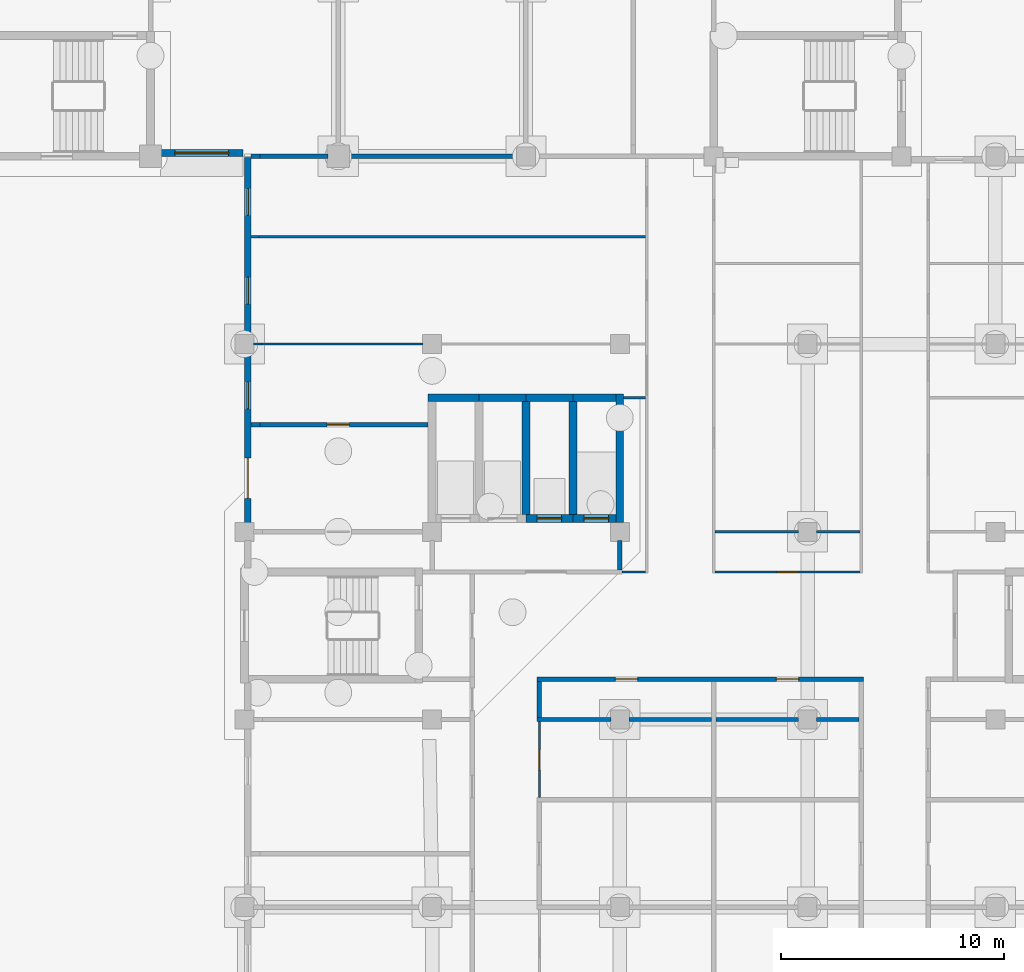
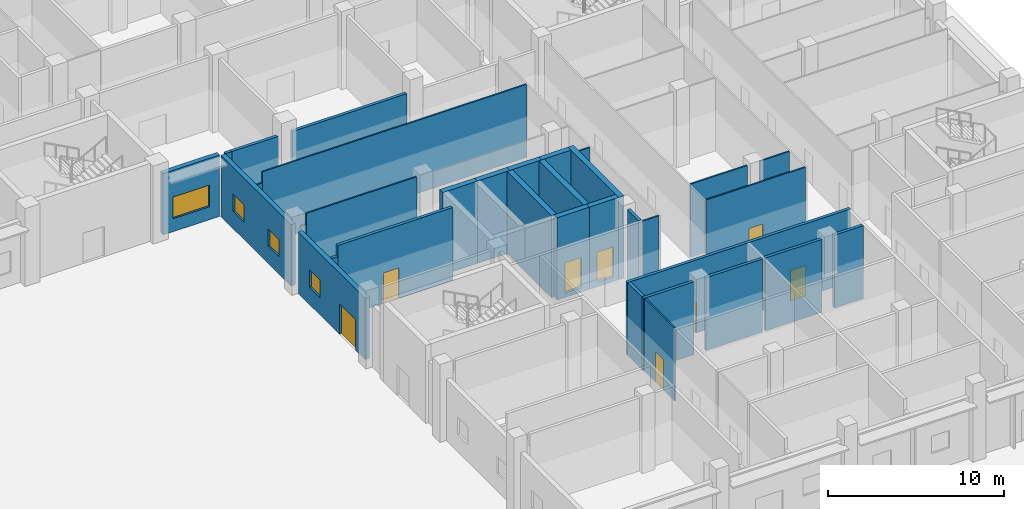
# One storey, part 83 of 146: 34 walls, 8 doors, 4 windows, 12 openings.
"""IFC4 building model written with IfcOpenShell, lengths in metres."""

from ifc_helpers import new_model, si_unit, direction, frame, frame_2d, origin, place, context, subcontext, project, spatial, rectangle, extrude, material, layer, layer_set, type_object, element, fill, save


model = new_model("IFC4")

# Units and contexts
model_context = context("Model", 3, precision=1e-05, world=origin(), true_north=direction((0.0, 1.0)))
body_context = subcontext(model_context, "Body", "Model", "MODEL_VIEW")
ifc_project = project(units=[si_unit("LENGTHUNIT", "METRE"), si_unit("AREAUNIT", "SQUARE_METRE"), si_unit("VOLUMEUNIT", "CUBIC_METRE"), si_unit("PLANEANGLEUNIT", "RADIAN"), si_unit("MASSUNIT", "GRAM", prefix="KILO")], contexts=[model_context])

# Site, building, storey
site_placement = place(None, origin())
site = spatial("IfcSite", under=ifc_project, at=site_placement, CompositionType="ELEMENT")
building_placement = place(site_placement, origin())
building = spatial("IfcBuilding", under=site, at=building_placement, Name="Bougainvillea Quay General Hospital", CompositionType="ELEMENT")
storey_placement = place(building_placement, origin())
storey = spatial("IfcBuildingStorey", under=building, at=storey_placement, Name="L00", CompositionType="ELEMENT", Elevation=0.0)

# Wall, openings, windows
ifc_material_1 = material(Name="Pale stone rainscreen cladding on insulated masonry backing, pale stone", Category="masonry")
ifc_layer_1 = layer(ifc_material_1, 0.300048828125)
ifc_layer_set_1 = layer_set([ifc_layer_1], Name="Pale stone rainscreen cladding on insulated masonry backing, pale stone")
wall_type_1 = type_object("IfcWallType", Name="External wall pale stone rainscreen 300", PredefinedType="STANDARD", material=ifc_layer_set_1)
wall_1_placement = place(storey_placement, frame((163.949951171875, 117.5400390625, 0.0), z_axis=(0.0, 0.0, 1.0), x_axis=(0.0, -1.0, 0.0)))
wall_1 = element("IfcWall", 1, at=wall_1_placement, inside=storey, type_object=wall_type_1, Name="External wall wall/V3/L00/p0/00a", PredefinedType="STANDARD", context=body_context, shape_type="SweptSolid", body=[
    extrude(rectangle(XDim=7.93994140625, YDim=0.300048828125, at=frame_2d((3.969970703125, 0.0))), origin(), (0.0, 0.0, 1.0), 4.25),
])
opening_1_placement = place(wall_1_placement, frame((1.385009765625, 0.0, 1.199951171875)))
opening_1 = element("IfcOpeningElement", 2, at=opening_1_placement, cuts=wall_1, Name="Opening W2", PredefinedType="OPENING", context=body_context, shape_type="SweptSolid", body=[
    extrude(rectangle(XDim=1.199951171875, YDim=1.199951171875, at=frame_2d((0.60009765625, 0.60009765625))), frame((0.0, 0.159912109375, 0.0), z_axis=(0.0, -1.0, 0.0), x_axis=(1.0, 0.0, 0.0)), (0.0, 0.0, 1.0), 0.320068359375),
])
opening_2_placement = place(wall_1_placement, frame((5.35498046875, 0.0, 1.199951171875)))
opening_2 = element("IfcOpeningElement", 3, at=opening_2_placement, cuts=wall_1, Name="Opening W2", PredefinedType="OPENING", context=body_context, shape_type="SweptSolid", body=[
    extrude(rectangle(XDim=1.199951171875, YDim=1.199951171875, at=frame_2d((0.60009765625, 0.60009765625))), frame((0.0, 0.159912109375, 0.0), z_axis=(0.0, -1.0, 0.0), x_axis=(1.0, 0.0, 0.0)), (0.0, 0.0, 1.0), 0.320068359375),
])
ifc_material_2 = material(Name="Aluminium window frame with low-e double glazed unit", Category="aluminium")
window_type_1 = type_object("IfcWindowType", Name="Window W2 1200x1200", PartitioningType="SINGLE_PANEL", PredefinedType="WINDOW", material=ifc_material_2)
window_1_placement = place(opening_1_placement, origin())
window_1 = element("IfcWindow", 4, at=window_1_placement, inside=storey, type_object=window_type_1, Name="Window W2 1", OverallHeight=1.199951171875, OverallWidth=1.199951171875, PartitioningType="SINGLE_PANEL", PredefinedType="WINDOW", context=body_context, shape_type="SweptSolid", body=[
    extrude(rectangle(XDim=1.199951171875, YDim=1.199951171875, at=frame_2d((0.60009765625, 0.60009765625))), frame((0.0, 0.030029296875, 0.0), z_axis=(0.0, -1.0, 0.0), x_axis=(1.0, 0.0, 0.0)), (0.0, 0.0, 1.0), 0.06005859375),
])
fill(opening_1, window_1)
window_2_placement = place(opening_2_placement, origin())
window_2 = element("IfcWindow", 5, at=window_2_placement, inside=storey, type_object=window_type_1, Name="Window W2 2", OverallHeight=1.199951171875, OverallWidth=1.199951171875, PartitioningType="SINGLE_PANEL", PredefinedType="WINDOW", context=body_context, shape_type="SweptSolid", body=[
    extrude(rectangle(XDim=1.199951171875, YDim=1.199951171875, at=frame_2d((0.60009765625, 0.60009765625))), frame((0.0, 0.030029296875, 0.0), z_axis=(0.0, -1.0, 0.0), x_axis=(1.0, 0.0, 0.0)), (0.0, 0.0, 1.0), 0.06005859375),
])
fill(opening_2, window_2)

# Wall, openings, door, window
wall_2_placement = place(storey_placement, frame((163.949951171875, 108.800048828125, 0.0), z_axis=(0.0, 0.0, 1.0), x_axis=(0.0, -1.0, 0.0)))
wall_2 = element("IfcWall", 6, at=wall_2_placement, inside=storey, type_object=wall_type_1, Name="External wall wall/V3/L00/p0/00b", PredefinedType="STANDARD", context=body_context, shape_type="SweptSolid", body=[
    extrude(rectangle(XDim=7.60009765625, YDim=0.300048828125, at=frame_2d((3.800048828125, 0.0))), origin(), (0.0, 0.0, 1.0), 4.25),
])
opening_3_placement = place(wall_2_placement, frame((4.700927734375, 0.0, 0.0)))
opening_3 = element("IfcOpeningElement", 7, at=opening_3_placement, cuts=wall_2, Name="Opening L00.353", PredefinedType="OPENING", context=body_context, shape_type="SweptSolid", body=[
    extrude(rectangle(XDim=1.800048828125, YDim=2.10009765625, at=frame_2d((0.89990234375, 1.050048828125))), frame((0.0, 0.159912109375, 0.0), z_axis=(0.0, -1.0, 0.0), x_axis=(1.0, 0.0, 0.0)), (0.0, 0.0, 1.0), 0.320068359375),
])
opening_4_placement = place(wall_2_placement, frame((1.300048828125, 0.0, 1.199951171875)))
opening_4 = element("IfcOpeningElement", 8, at=opening_4_placement, cuts=wall_2, Name="Opening W2", PredefinedType="OPENING", context=body_context, shape_type="SweptSolid", body=[
    extrude(rectangle(XDim=1.199951171875, YDim=1.199951171875, at=frame_2d((0.60009765625, 0.60009765625))), frame((0.0, 0.159912109375, 0.0), z_axis=(0.0, -1.0, 0.0), x_axis=(1.0, 0.0, 0.0)), (0.0, 0.0, 1.0), 0.320068359375),
])
ifc_material_3 = material(Name="Steel door set, painted", Category="steel")
door_type_1 = type_object("IfcDoorType", Name="Service door 1800x2100", OperationType="DOUBLE_DOOR_SINGLE_SWING", PredefinedType="DOOR", material=ifc_material_3)
door_1_placement = place(opening_3_placement, frame((1.800048828125, 0.0, 0.0), z_axis=(0.0, 0.0, 1.0), x_axis=(-1.0, 0.0, 0.0)))
door_1 = element("IfcDoor", 9, at=door_1_placement, inside=storey, type_object=door_type_1, Name="Theatre waste door", OperationType="SINGLE_SWING_LEFT", OverallHeight=2.10009765625, OverallWidth=1.800048828125, PredefinedType="DOOR", context=body_context, shape_type="SweptSolid", body=[
    extrude(rectangle(XDim=1.800048828125, YDim=2.10009765625, at=frame_2d((0.89990234375, 1.050048828125))), frame((0.0, 0.02490234375, 0.0), z_axis=(0.0, -1.0, 0.0), x_axis=(1.0, 0.0, 0.0)), (0.0, 0.0, 1.0), 0.050048828125),
])
fill(opening_3, door_1)
window_3_placement = place(opening_4_placement, origin())
window_3 = element("IfcWindow", 10, at=window_3_placement, inside=storey, type_object=window_type_1, Name="Window W2 1", OverallHeight=1.199951171875, OverallWidth=1.199951171875, PartitioningType="SINGLE_PANEL", PredefinedType="WINDOW", context=body_context, shape_type="SweptSolid", body=[
    extrude(rectangle(XDim=1.199951171875, YDim=1.199951171875, at=frame_2d((0.60009765625, 0.60009765625))), frame((0.0, 0.030029296875, 0.0), z_axis=(0.0, -1.0, 0.0), x_axis=(1.0, 0.0, 0.0)), (0.0, 0.0, 1.0), 0.06005859375),
])
fill(opening_4, window_3)

# Wall, opening, window
wall_3_placement = place(storey_placement, frame((160.050048828125, 117.75, 0.0), z_axis=(0.0, 0.0, 1.0), x_axis=(1.0, 0.0, 0.0)))
wall_3 = element("IfcWall", 11, at=wall_3_placement, inside=storey, type_object=wall_type_1, Name="External wall wall/V4/L00/p1/00g", PredefinedType="STANDARD", context=body_context, shape_type="SweptSolid", body=[
    extrude(rectangle(XDim=3.68994140625, YDim=0.300048828125, at=frame_2d((1.844970703125, 0.0))), origin(), (0.0, 0.0, 1.0), 4.25),
])
opening_5_placement = place(wall_3_placement, frame((0.64501953125, 0.0, 0.89990234375)))
opening_5 = element("IfcOpeningElement", 12, at=opening_5_placement, cuts=wall_3, Name="Opening W3", PredefinedType="OPENING", context=body_context, shape_type="SweptSolid", body=[
    extrude(rectangle(XDim=2.39990234375, YDim=1.5, at=frame_2d((1.199951171875, 0.75))), frame((0.0, 0.159912109375, 0.0), z_axis=(0.0, -1.0, 0.0), x_axis=(1.0, 0.0, 0.0)), (0.0, 0.0, 1.0), 0.320068359375),
])
window_type_2 = type_object("IfcWindowType", Name="Window W3 2400x1500", PartitioningType="TRIPLE_PANEL_VERTICAL", PredefinedType="WINDOW", material=ifc_material_2)
window_4_placement = place(opening_5_placement, origin())
window_4 = element("IfcWindow", 13, at=window_4_placement, inside=storey, type_object=window_type_2, Name="Window W3 1", OverallHeight=1.5, OverallWidth=2.39990234375, PartitioningType="SINGLE_PANEL", PredefinedType="WINDOW", context=body_context, shape_type="SweptSolid", body=[
    extrude(rectangle(XDim=2.39990234375, YDim=1.5, at=frame_2d((1.199951171875, 0.75))), frame((0.0, 0.030029296875, 0.0), z_axis=(0.0, -1.0, 0.0), x_axis=(1.0, 0.0, 0.0)), (0.0, 0.0, 1.0), 0.06005859375),
])
fill(opening_5, window_4)

# Walls
ifc_material_4 = material(Name="Gypsum board partition on steel studs", Category="steel")
ifc_layer_2 = layer(ifc_material_4, 0.10009765625)
ifc_layer_set_2 = layer_set([ifc_layer_2], Name="Gypsum board partition on steel studs")
wall_type_2 = type_object("IfcWallType", Name="Partition 100 Gypsum board partition", PredefinedType="PARTITIONING", material=ifc_layer_set_2)
wall_4_placement = place(storey_placement, frame((164.199951171875, 109.197998046875, 0.0), z_axis=(0.0, 0.0, 1.0), x_axis=(1.0, 0.0, 0.0)))
element("IfcWall", 14, at=wall_4_placement, inside=storey, type_object=wall_type_2, Name="Partition 100 mm", PredefinedType="PARTITIONING", context=body_context, shape_type="SweptSolid", body=[
    extrude(rectangle(XDim=0.35009765625, YDim=0.10009765625, at=frame_2d((0.175048828125, 0.0))), origin(), (0.0, 0.0, 1.0), 4.280029296875),
])
wall_5_placement = place(storey_placement, frame((164.550048828125, 109.197998046875, 0.0), z_axis=(0.0, 0.0, 1.0), x_axis=(1.0, 0.0, 0.0)))
element("IfcWall", 15, at=wall_5_placement, inside=storey, type_object=wall_type_2, Name="Partition 100 mm", PredefinedType="PARTITIONING", context=body_context, shape_type="SweptSolid", body=[
    extrude(rectangle(XDim=7.25, YDim=0.10009765625, at=frame_2d((3.625, 0.0))), origin(), (0.0, 0.0, 1.0), 5.050048828125),
])
wall_6_placement = place(storey_placement, frame((164.10009765625, 113.998046875, 0.0), z_axis=(0.0, 0.0, 1.0), x_axis=(1.0, 0.0, 0.0)))
element("IfcWall", 16, at=wall_6_placement, inside=storey, type_object=wall_type_2, Name="Partition 100 mm", PredefinedType="PARTITIONING", context=body_context, shape_type="SweptSolid", body=[
    extrude(rectangle(XDim=0.349853515625, YDim=0.10009765625, at=frame_2d((0.1748046875, 0.0))), origin(), (0.0, 0.0, 1.0), 4.280029296875),
])
wall_7_placement = place(storey_placement, frame((164.449951171875, 113.998046875, 0.0), z_axis=(0.0, 0.0, 1.0), x_axis=(1.0, 0.0, 0.0)))
element("IfcWall", 17, at=wall_7_placement, inside=storey, type_object=wall_type_2, Name="Partition 100 mm", PredefinedType="PARTITIONING", context=body_context, shape_type="SweptSolid", body=[
    extrude(rectangle(XDim=17.300048828125, YDim=0.10009765625, at=frame_2d((8.64990234375, 0.0))), origin(), (0.0, 0.0, 1.0), 5.050048828125),
])
wall_8_placement = place(storey_placement, frame((180.77490234375, 106.800048828125, 0.0), z_axis=(0.0, 0.0, 1.0), x_axis=(1.0, 0.0, 0.0)))
element("IfcWall", 18, at=wall_8_placement, inside=storey, type_object=wall_type_2, Name="Partition 100 mm", PredefinedType="PARTITIONING", context=body_context, shape_type="SweptSolid", body=[
    extrude(rectangle(XDim=0.97509765625, YDim=0.10009765625, at=frame_2d((0.487548828125, 0.0))), origin(), (0.0, 0.0, 1.0), 5.050048828125),
])

# Wall, opening, door
wall_9_placement = place(storey_placement, frame((184.85009765625, 99.0, 0.0), z_axis=(0.0, 0.0, 1.0), x_axis=(1.0, 0.0, 0.0)))
wall_9 = element("IfcWall", 19, at=wall_9_placement, inside=storey, type_object=wall_type_2, Name="Partition 100 mm", PredefinedType="PARTITIONING", context=body_context, shape_type="SweptSolid", body=[
    extrude(rectangle(XDim=6.5, YDim=0.10009765625, at=frame_2d((3.25, 0.0))), origin(), (0.0, 0.0, 1.0), 5.050048828125),
])
opening_6_placement = place(wall_9_placement, frame((2.800048828125, 0.0, 0.0)))
opening_6 = element("IfcOpeningElement", 20, at=opening_6_placement, cuts=wall_9, Name="Opening L00.118", PredefinedType="OPENING", context=body_context, shape_type="SweptSolid", body=[
    extrude(rectangle(XDim=0.89990234375, YDim=2.10009765625, at=frame_2d((0.449951171875, 1.050048828125))), frame((0.0, 0.06005859375, 0.0), z_axis=(0.0, -1.0, 0.0), x_axis=(1.0, 0.0, 0.0)), (0.0, 0.0, 1.0), 0.1201171875),
])
ifc_material_5 = material(Name="Solid-core timber door leaf in steel frame", Category="steel")
door_type_2 = type_object("IfcDoorType", Name="Single leaf door 900x2100", OperationType="NOTDEFINED", PredefinedType="DOOR", material=ifc_material_5)
door_2_placement = place(opening_6_placement, origin())
door_2 = element("IfcDoor", 21, at=door_2_placement, inside=storey, type_object=door_type_2, Name="DT07 L00.118", OperationType="SINGLE_SWING_LEFT", OverallHeight=2.10009765625, OverallWidth=0.89990234375, PredefinedType="DOOR", context=body_context, shape_type="SweptSolid", body=[
    extrude(rectangle(XDim=0.89990234375, YDim=2.10009765625, at=frame_2d((0.449951171875, 1.050048828125))), frame((0.0, 0.02490234375, 0.0), z_axis=(0.0, -1.0, 0.0), x_axis=(1.0, 0.0, 0.0)), (0.0, 0.0, 1.0), 0.050048828125),
])
fill(opening_6, door_2)

# Walls
wall_10_placement = place(storey_placement, frame((184.85009765625, 100.800048828125, 0.0), z_axis=(0.0, 0.0, 1.0), x_axis=(1.0, 0.0, 0.0)))
element("IfcWall", 22, at=wall_10_placement, inside=storey, type_object=wall_type_2, Name="Partition 100 mm", PredefinedType="PARTITIONING", context=body_context, shape_type="SweptSolid", body=[
    extrude(rectangle(XDim=3.75, YDim=0.10009765625, at=frame_2d((1.875, 0.0))), origin(), (0.0, 0.0, 1.0), 5.050048828125),
])
wall_11_placement = place(storey_placement, frame((189.39990234375, 100.800048828125, 0.0), z_axis=(0.0, 0.0, 1.0), x_axis=(1.0, 0.0, 0.0)))
element("IfcWall", 23, at=wall_11_placement, inside=storey, type_object=wall_type_2, Name="Partition 100 mm", PredefinedType="PARTITIONING", context=body_context, shape_type="SweptSolid", body=[
    extrude(rectangle(XDim=1.9501953125, YDim=0.10009765625, at=frame_2d((0.97509765625, 0.0))), origin(), (0.0, 0.0, 1.0), 5.050048828125),
])

# Wall, opening, door
wall_12_placement = place(storey_placement, frame((177.0, 88.89990234375, 0.0), z_axis=(0.0, 0.0, 1.0), x_axis=(0.0, 1.0, 0.0)))
wall_12 = element("IfcWall", 24, at=wall_12_placement, inside=storey, type_object=wall_type_2, Name="Partition 100 mm", PredefinedType="PARTITIONING", context=body_context, shape_type="SweptSolid", body=[
    extrude(rectangle(XDim=3.400146484375, YDim=0.10009765625, at=frame_2d((1.7001953125, 0.0))), origin(), (0.0, 0.0, 1.0), 5.050048828125),
])
opening_7_placement = place(wall_12_placement, frame((1.25, 0.0, 0.0)))
opening_7 = element("IfcOpeningElement", 25, at=opening_7_placement, cuts=wall_12, Name="Opening L00.101", PredefinedType="OPENING", context=body_context, shape_type="SweptSolid", body=[
    extrude(rectangle(XDim=0.89990234375, YDim=2.10009765625, at=frame_2d((0.449951171875, 1.050048828125))), frame((0.0, 0.06005859375, 0.0), z_axis=(0.0, -1.0, 0.0), x_axis=(1.0, 0.0, 0.0)), (0.0, 0.0, 1.0), 0.1201171875),
])
door_3_placement = place(opening_7_placement, frame((0.89990234375, 0.0, 0.0), z_axis=(0.0, 0.0, 1.0), x_axis=(-1.0, 0.0, 0.0)))
door_3 = element("IfcDoor", 26, at=door_3_placement, inside=storey, type_object=door_type_2, Name="DT07 L00.101", OperationType="SINGLE_SWING_LEFT", OverallHeight=2.10009765625, OverallWidth=0.89990234375, PredefinedType="DOOR", context=body_context, shape_type="SweptSolid", body=[
    extrude(rectangle(XDim=0.89990234375, YDim=2.10009765625, at=frame_2d((0.449951171875, 1.050048828125))), frame((0.0, 0.02490234375, 0.0), z_axis=(0.0, -1.0, 0.0), x_axis=(1.0, 0.0, 0.0)), (0.0, 0.0, 1.0), 0.050048828125),
])
fill(opening_7, door_3)

# Walls
wall_13_placement = place(storey_placement, frame((180.699951171875, 99.0, 0.0), z_axis=(0.0, 0.0, 1.0), x_axis=(1.0, 0.0, 0.0)))
element("IfcWall", 27, at=wall_13_placement, inside=storey, type_object=wall_type_2, Name="Partition 100 mm", PredefinedType="PARTITIONING", context=body_context, shape_type="SweptSolid", body=[
    extrude(rectangle(XDim=1.050048828125, YDim=0.10009765625, at=frame_2d((0.52490234375, 0.0))), origin(), (0.0, 0.0, 1.0), 5.050048828125),
])
ifc_material_6 = material(Name="Fire-rated autoclaved aerated block wall, plastered")
ifc_layer_3 = layer(ifc_material_6, 0.199951171875)
ifc_layer_set_3 = layer_set([ifc_layer_3], Name="Fire-rated autoclaved aerated block wall, plastered")
wall_type_3 = type_object("IfcWallType", Name="Partition 200 Fire-rated autoclaved aerated block wall EI 120", PredefinedType="SOLIDWALL", material=ifc_layer_set_3)
wall_14_placement = place(storey_placement, frame((175.949951171875, 117.60009765625, 0.0), z_axis=(0.0, 0.0, 1.0), x_axis=(-1.0, 0.0, 0.0)))
element("IfcWall", 28, at=wall_14_placement, inside=storey, type_object=wall_type_3, Name="Partition 200 mm EI 120", PredefinedType="SOLIDWALL", context=body_context, shape_type="SweptSolid", body=[
    extrude(rectangle(XDim=7.5, YDim=0.199951171875, at=frame_2d((3.75, 0.0))), origin(), (0.0, 0.0, 1.0), 4.280029296875),
])
wall_15_placement = place(storey_placement, frame((167.550048828125, 117.60009765625, 0.0), z_axis=(0.0, 0.0, 1.0), x_axis=(-1.0, 0.0, 0.0)))
element("IfcWall", 29, at=wall_15_placement, inside=storey, type_object=wall_type_3, Name="Partition 200 mm EI 120", PredefinedType="SOLIDWALL", context=body_context, shape_type="SweptSolid", body=[
    extrude(rectangle(XDim=3.050048828125, YDim=0.199951171875, at=frame_2d((1.52490234375, 0.0))), origin(), (0.0, 0.0, 1.0), 4.280029296875),
])
wall_16_placement = place(storey_placement, frame((164.5, 117.60009765625, 0.0), z_axis=(0.0, 0.0, 1.0), x_axis=(-1.0, 0.0, 0.0)))
element("IfcWall", 30, at=wall_16_placement, inside=storey, type_object=wall_type_3, Name="Partition 200 mm EI 120", PredefinedType="SOLIDWALL", context=body_context, shape_type="SweptSolid", body=[
    extrude(rectangle(XDim=0.39990234375, YDim=0.199951171875, at=frame_2d((0.199951171875, 0.0))), origin(), (0.0, 0.0, 1.0), 4.280029296875),
])
wall_17_placement = place(storey_placement, frame((180.60009765625, 99.10009765625, 0.0), z_axis=(0.0, 0.0, 1.0), x_axis=(0.0, 1.0, 0.0)))
element("IfcWall", 31, at=wall_17_placement, inside=storey, type_object=wall_type_3, Name="Partition 200 mm EI 120", PredefinedType="SOLIDWALL", context=body_context, shape_type="SweptSolid", body=[
    extrude(rectangle(XDim=1.2998046875, YDim=0.199951171875, at=frame_2d((0.64990234375, 0.0))), origin(), (0.0, 0.0, 1.0), 5.050048828125),
])

# Wall, openings, doors
ifc_layer_4 = layer(ifc_material_6, 0.199951171875)
ifc_layer_set_4 = layer_set([ifc_layer_4], Name="Fire-rated autoclaved aerated block wall, plastered")
wall_type_4 = type_object("IfcWallType", Name="Partition 200 Fire-rated autoclaved aerated block wall EI 60", PredefinedType="SOLIDWALL", material=ifc_layer_set_4)
wall_18_placement = place(storey_placement, frame((176.89990234375, 94.199951171875, 0.0), z_axis=(0.0, 0.0, 1.0), x_axis=(1.0, 0.0, 0.0)))
wall_18 = element("IfcWall", 32, at=wall_18_placement, inside=storey, type_object=wall_type_4, Name="Partition 200 mm EI 60", PredefinedType="SOLIDWALL", context=body_context, shape_type="SweptSolid", body=[
    extrude(rectangle(XDim=14.60009765625, YDim=0.199951171875, at=frame_2d((7.300048828125, 0.0))), origin(), (0.0, 0.0, 1.0), 5.050048828125),
])
opening_8_placement = place(wall_18_placement, frame((3.5, 0.0, 0.0)))
opening_8 = element("IfcOpeningElement", 33, at=opening_8_placement, cuts=wall_18, Name="Opening L00.100", PredefinedType="OPENING", context=body_context, shape_type="SweptSolid", body=[
    extrude(rectangle(XDim=1.0, YDim=2.10009765625, at=frame_2d((0.5, 1.050048828125))), frame((0.0, 0.10986328125, 0.0), z_axis=(0.0, -1.0, 0.0), x_axis=(1.0, 0.0, 0.0)), (0.0, 0.0, 1.0), 0.219970703125),
])
opening_9_placement = place(wall_18_placement, frame((10.699951171875, 0.0, 0.0)))
opening_9 = element("IfcOpeningElement", 34, at=opening_9_placement, cuts=wall_18, Name="Opening L00.105", PredefinedType="OPENING", context=body_context, shape_type="SweptSolid", body=[
    extrude(rectangle(XDim=1.0, YDim=2.10009765625, at=frame_2d((0.5, 1.050048828125))), frame((0.0, 0.10986328125, 0.0), z_axis=(0.0, -1.0, 0.0), x_axis=(1.0, 0.0, 0.0)), (0.0, 0.0, 1.0), 0.219970703125),
])
ifc_material_7 = material(Name="Steel fire door leaf in steel frame", Category="steel")
door_type_3 = type_object("IfcDoorType", Name="Steel single leaf door 1000x2100 FD60", OperationType="NOTDEFINED", PredefinedType="DOOR", material=ifc_material_7)
door_4_placement = place(opening_8_placement, frame((1.0, 0.0, 0.0), z_axis=(0.0, 0.0, 1.0), x_axis=(-1.0, 0.0, 0.0)))
door_4 = element("IfcDoor", 35, at=door_4_placement, inside=storey, type_object=door_type_3, Name="DT10 L00.100", OperationType="SINGLE_SWING_RIGHT", OverallHeight=2.10009765625, OverallWidth=1.0, PredefinedType="DOOR", context=body_context, shape_type="SweptSolid", body=[
    extrude(rectangle(XDim=1.0, YDim=2.10009765625, at=frame_2d((0.5, 1.050048828125))), frame((0.0, 0.02490234375, 0.0), z_axis=(0.0, -1.0, 0.0), x_axis=(1.0, 0.0, 0.0)), (0.0, 0.0, 1.0), 0.050048828125),
])
fill(opening_8, door_4)
door_5_placement = place(opening_9_placement, frame((1.0, 0.0, 0.0), z_axis=(0.0, 0.0, 1.0), x_axis=(-1.0, 0.0, 0.0)))
door_5 = element("IfcDoor", 36, at=door_5_placement, inside=storey, type_object=door_type_3, Name="DT10 L00.105", OperationType="SINGLE_SWING_LEFT", OverallHeight=2.10009765625, OverallWidth=1.0, PredefinedType="DOOR", context=body_context, shape_type="SweptSolid", body=[
    extrude(rectangle(XDim=1.0, YDim=2.10009765625, at=frame_2d((0.5, 1.050048828125))), frame((0.0, 0.02490234375, 0.0), z_axis=(0.0, -1.0, 0.0), x_axis=(1.0, 0.0, 0.0)), (0.0, 0.0, 1.0), 0.050048828125),
])
fill(opening_9, door_5)

# Walls
wall_19_placement = place(storey_placement, frame((176.89990234375, 92.39990234375, 0.0), z_axis=(0.0, 0.0, 1.0), x_axis=(1.0, 0.0, 0.0)))
element("IfcWall", 37, at=wall_19_placement, inside=storey, type_object=wall_type_4, Name="Partition 200 mm EI 60", PredefinedType="SOLIDWALL", context=body_context, shape_type="SweptSolid", body=[
    extrude(rectangle(XDim=3.300048828125, YDim=0.199951171875, at=frame_2d((1.64990234375, 0.0))), origin(), (0.0, 0.0, 1.0), 5.050048828125),
])
wall_20_placement = place(storey_placement, frame((181.0, 92.39990234375, 0.0), z_axis=(0.0, 0.0, 1.0), x_axis=(1.0, 0.0, 0.0)))
element("IfcWall", 38, at=wall_20_placement, inside=storey, type_object=wall_type_4, Name="Partition 200 mm EI 60", PredefinedType="SOLIDWALL", context=body_context, shape_type="SweptSolid", body=[
    extrude(rectangle(XDim=3.699951171875, YDim=0.199951171875, at=frame_2d((1.85009765625, 0.0))), origin(), (0.0, 0.0, 1.0), 5.050048828125),
])
wall_21_placement = place(storey_placement, frame((184.89990234375, 92.39990234375, 0.0), z_axis=(0.0, 0.0, 1.0), x_axis=(1.0, 0.0, 0.0)))
element("IfcWall", 39, at=wall_21_placement, inside=storey, type_object=wall_type_4, Name="Partition 200 mm EI 60", PredefinedType="SOLIDWALL", context=body_context, shape_type="SweptSolid", body=[
    extrude(rectangle(XDim=3.7001953125, YDim=0.199951171875, at=frame_2d((1.85009765625, 0.0))), origin(), (0.0, 0.0, 1.0), 5.050048828125),
])
wall_22_placement = place(storey_placement, frame((189.39990234375, 92.39990234375, 0.0), z_axis=(0.0, 0.0, 1.0), x_axis=(1.0, 0.0, 0.0)))
element("IfcWall", 40, at=wall_22_placement, inside=storey, type_object=wall_type_4, Name="Partition 200 mm EI 60", PredefinedType="SOLIDWALL", context=body_context, shape_type="SweptSolid", body=[
    extrude(rectangle(XDim=1.900146484375, YDim=0.199951171875, at=frame_2d((0.9501953125, 0.0))), origin(), (0.0, 0.0, 1.0), 5.050048828125),
])
wall_23_placement = place(storey_placement, frame((164.10009765625, 105.597900390625, 0.0), z_axis=(0.0, 0.0, 1.0), x_axis=(1.0, 0.0, 0.0)))
element("IfcWall", 41, at=wall_23_placement, inside=storey, type_object=wall_type_4, Name="Partition 200 mm EI 60", PredefinedType="SOLIDWALL", context=body_context, shape_type="SweptSolid", body=[
    extrude(rectangle(XDim=0.39990234375, YDim=0.199951171875, at=frame_2d((0.199951171875, 0.0))), origin(), (0.0, 0.0, 1.0), 4.280029296875),
])

# Wall, opening, door
wall_24_placement = place(storey_placement, frame((164.5, 105.597900390625, 0.0), z_axis=(0.0, 0.0, 1.0), x_axis=(1.0, 0.0, 0.0)))
wall_24 = element("IfcWall", 42, at=wall_24_placement, inside=storey, type_object=wall_type_4, Name="Partition 200 mm EI 60", PredefinedType="SOLIDWALL", context=body_context, shape_type="SweptSolid", body=[
    extrude(rectangle(XDim=7.52490234375, YDim=0.199951171875, at=frame_2d((3.762451171875, 0.0))), origin(), (0.0, 0.0, 1.0), 5.050048828125),
])
opening_10_placement = place(wall_24_placement, frame((3.0, 0.0, 0.0)))
opening_10 = element("IfcOpeningElement", 43, at=opening_10_placement, cuts=wall_24, Name="Opening L00.213", PredefinedType="OPENING", context=body_context, shape_type="SweptSolid", body=[
    extrude(rectangle(XDim=1.0, YDim=2.10009765625, at=frame_2d((0.5, 1.050048828125))), frame((0.0, 0.10986328125, 0.0), z_axis=(0.0, -1.0, 0.0), x_axis=(1.0, 0.0, 0.0)), (0.0, 0.0, 1.0), 0.219970703125),
])
door_6_placement = place(opening_10_placement, frame((1.0, 0.0, 0.0), z_axis=(0.0, 0.0, 1.0), x_axis=(-1.0, 0.0, 0.0)))
door_6 = element("IfcDoor", 44, at=door_6_placement, inside=storey, type_object=door_type_3, Name="DT10 L00.213", OperationType="SINGLE_SWING_RIGHT", OverallHeight=2.10009765625, OverallWidth=1.0, PredefinedType="DOOR", context=body_context, shape_type="SweptSolid", body=[
    extrude(rectangle(XDim=1.0, YDim=2.10009765625, at=frame_2d((0.5, 1.050048828125))), frame((0.0, 0.02490234375, 0.0), z_axis=(0.0, -1.0, 0.0), x_axis=(1.0, 0.0, 0.0)), (0.0, 0.0, 1.0), 0.050048828125),
])
fill(opening_10, door_6)

# Walls
wall_25_placement = place(storey_placement, frame((177.0, 92.5, 0.0), z_axis=(0.0, 0.0, 1.0), x_axis=(0.0, 1.0, 0.0)))
element("IfcWall", 45, at=wall_25_placement, inside=storey, type_object=wall_type_4, Name="Partition 200 mm EI 60", PredefinedType="SOLIDWALL", context=body_context, shape_type="SweptSolid", body=[
    extrude(rectangle(XDim=1.60009765625, YDim=0.199951171875, at=frame_2d((0.800048828125, 0.0))), origin(), (0.0, 0.0, 1.0), 5.050048828125),
])
ifc_material_8 = material(Name="Concrete C40", Category="concrete")
ifc_layer_5 = layer(ifc_material_8, 0.35009765625)
ifc_layer_set_5 = layer_set([ifc_layer_5], Name="Concrete C40")
wall_type_5 = type_object("IfcWallType", Name="RC SHEAR WALL 350 C40", PredefinedType="SHEAR", material=ifc_layer_set_5)
wall_26_placement = place(storey_placement, frame((172.02490234375, 106.800048828125, -0.300048828125), z_axis=(0.0, 0.0, 1.0), x_axis=(1.0, 0.0, 0.0)))
element("IfcWall", 46, at=wall_26_placement, inside=storey, type_object=wall_type_5, Name="Shear wall L00", PredefinedType="SHEAR", context=body_context, shape_type="SweptSolid", body=[
    extrude(rectangle(XDim=2.275146484375, YDim=0.35009765625, at=frame_2d((1.1376953125, 0.0))), origin(), (0.0, 0.0, 1.0), 5.699951171875),
])
wall_27_placement = place(storey_placement, frame((174.300048828125, 106.800048828125, -0.300048828125), z_axis=(0.0, 0.0, 1.0), x_axis=(1.0, 0.0, 0.0)))
element("IfcWall", 47, at=wall_27_placement, inside=storey, type_object=wall_type_5, Name="Shear wall L00", PredefinedType="SHEAR", context=body_context, shape_type="SweptSolid", body=[
    extrude(rectangle(XDim=2.099853515625, YDim=0.35009765625, at=frame_2d((1.0498046875, 0.0))), origin(), (0.0, 0.0, 1.0), 5.699951171875),
])

# Wall, opening, door
wall_28_placement = place(storey_placement, frame((176.39990234375, 101.39990234375, -0.300048828125), z_axis=(0.0, 0.0, 1.0), x_axis=(1.0, 0.0, 0.0)))
wall_28 = element("IfcWall", 48, at=wall_28_placement, inside=storey, type_object=wall_type_5, Name="Shear wall L00", PredefinedType="SHEAR", context=body_context, shape_type="SweptSolid", body=[
    extrude(rectangle(XDim=2.10009765625, YDim=0.35009765625, at=frame_2d((1.050048828125, 0.0))), origin(), (0.0, 0.0, 1.0), 5.699951171875),
])
opening_11_placement = place(wall_28_placement, frame((0.5, 0.0, 0.300048828125)))
opening_11 = element("IfcOpeningElement", 49, at=opening_11_placement, cuts=wall_28, Name="Opening LD-T1.3-L00", PredefinedType="OPENING", context=body_context, shape_type="SweptSolid", body=[
    extrude(rectangle(XDim=1.10009765625, YDim=2.10009765625, at=frame_2d((0.550048828125, 1.050048828125))), frame((0.0, 0.18505859375, 0.0), z_axis=(0.0, -1.0, 0.0), x_axis=(1.0, 0.0, 0.0)), (0.0, 0.0, 1.0), 0.3701171875),
])
ifc_material_9 = material(Name="Stainless steel centre-opening landing door", Category="steel")
door_type_4 = type_object("IfcDoorType", Name="Lift landing door 1100x2100 E 120", OperationType="DOUBLE_DOOR_SLIDING", PredefinedType="DOOR", material=ifc_material_9)
door_7_placement = place(opening_11_placement, origin())
door_7 = element("IfcDoor", 50, at=door_7_placement, inside=storey, type_object=door_type_4, Name="Lift landing door LB-T1-3 L00", OperationType="DOUBLE_DOOR_SLIDING", OverallHeight=2.10009765625, OverallWidth=1.10009765625, PredefinedType="DOOR", context=body_context, shape_type="SweptSolid", body=[
    extrude(rectangle(XDim=1.10009765625, YDim=2.10009765625, at=frame_2d((0.550048828125, 1.050048828125))), frame((0.0, 0.02490234375, 0.0), z_axis=(0.0, -1.0, 0.0), x_axis=(1.0, 0.0, 0.0)), (0.0, 0.0, 1.0), 0.050048828125),
])
fill(opening_11, door_7)

# Walls
wall_29_placement = place(storey_placement, frame((176.39990234375, 101.574951171875, -0.300048828125), z_axis=(0.0, 0.0, 1.0), x_axis=(0.0, 1.0, 0.0)))
element("IfcWall", 51, at=wall_29_placement, inside=storey, type_object=wall_type_5, Name="Shear wall L00", PredefinedType="SHEAR", context=body_context, shape_type="SweptSolid", body=[
    extrude(rectangle(XDim=5.050048828125, YDim=0.35009765625, at=frame_2d((2.52490234375, 0.0))), origin(), (0.0, 0.0, 1.0), 5.699951171875),
])
wall_30_placement = place(storey_placement, frame((176.39990234375, 106.800048828125, -0.300048828125), z_axis=(0.0, 0.0, 1.0), x_axis=(1.0, 0.0, 0.0)))
element("IfcWall", 52, at=wall_30_placement, inside=storey, type_object=wall_type_5, Name="Shear wall L00", PredefinedType="SHEAR", context=body_context, shape_type="SweptSolid", body=[
    extrude(rectangle(XDim=2.10009765625, YDim=0.35009765625, at=frame_2d((1.050048828125, 0.0))), origin(), (0.0, 0.0, 1.0), 5.699951171875),
])

# Wall, opening, door
wall_31_placement = place(storey_placement, frame((178.5, 101.39990234375, -0.300048828125), z_axis=(0.0, 0.0, 1.0), x_axis=(1.0, 0.0, 0.0)))
wall_31 = element("IfcWall", 53, at=wall_31_placement, inside=storey, type_object=wall_type_5, Name="Shear wall L00", PredefinedType="SHEAR", context=body_context, shape_type="SweptSolid", body=[
    extrude(rectangle(XDim=1.925048828125, YDim=0.35009765625, at=frame_2d((0.96240234375, 0.0))), origin(), (0.0, 0.0, 1.0), 5.699951171875),
])
opening_12_placement = place(wall_31_placement, frame((0.5, 0.0, 0.300048828125)))
opening_12 = element("IfcOpeningElement", 54, at=opening_12_placement, cuts=wall_31, Name="Opening LD-T1.4-L00", PredefinedType="OPENING", context=body_context, shape_type="SweptSolid", body=[
    extrude(rectangle(XDim=1.10009765625, YDim=2.10009765625, at=frame_2d((0.550048828125, 1.050048828125))), frame((0.0, 0.18505859375, 0.0), z_axis=(0.0, -1.0, 0.0), x_axis=(1.0, 0.0, 0.0)), (0.0, 0.0, 1.0), 0.3701171875),
])
door_8_placement = place(opening_12_placement, origin())
door_8 = element("IfcDoor", 55, at=door_8_placement, inside=storey, type_object=door_type_4, Name="Lift landing door LB-T1-4 L00", OperationType="DOUBLE_DOOR_SLIDING", OverallHeight=2.10009765625, OverallWidth=1.10009765625, PredefinedType="DOOR", context=body_context, shape_type="SweptSolid", body=[
    extrude(rectangle(XDim=1.10009765625, YDim=2.10009765625, at=frame_2d((0.550048828125, 1.050048828125))), frame((0.0, 0.02490234375, 0.0), z_axis=(0.0, -1.0, 0.0), x_axis=(1.0, 0.0, 0.0)), (0.0, 0.0, 1.0), 0.050048828125),
])
fill(opening_12, door_8)

# Walls
wall_32_placement = place(storey_placement, frame((178.5, 101.574951171875, -0.300048828125), z_axis=(0.0, 0.0, 1.0), x_axis=(0.0, 1.0, 0.0)))
element("IfcWall", 56, at=wall_32_placement, inside=storey, type_object=wall_type_5, Name="Shear wall L00", PredefinedType="SHEAR", context=body_context, shape_type="SweptSolid", body=[
    extrude(rectangle(XDim=5.050048828125, YDim=0.35009765625, at=frame_2d((2.52490234375, 0.0))), origin(), (0.0, 0.0, 1.0), 5.699951171875),
])
wall_33_placement = place(storey_placement, frame((178.5, 106.800048828125, -0.300048828125), z_axis=(0.0, 0.0, 1.0), x_axis=(1.0, 0.0, 0.0)))
element("IfcWall", 57, at=wall_33_placement, inside=storey, type_object=wall_type_5, Name="Shear wall L00", PredefinedType="SHEAR", context=body_context, shape_type="SweptSolid", body=[
    extrude(rectangle(XDim=1.925048828125, YDim=0.35009765625, at=frame_2d((0.96240234375, 0.0))), origin(), (0.0, 0.0, 1.0), 5.699951171875),
])
wall_34_placement = place(storey_placement, frame((180.60009765625, 101.22509765625, -0.300048828125), z_axis=(0.0, 0.0, 1.0), x_axis=(0.0, 1.0, 0.0)))
element("IfcWall", 58, at=wall_34_placement, inside=storey, type_object=wall_type_5, Name="Shear wall L00", PredefinedType="SHEAR", context=body_context, shape_type="SweptSolid", body=[
    extrude(rectangle(XDim=5.75, YDim=0.35009765625, at=frame_2d((2.875, 0.0))), origin(), (0.0, 0.0, 1.0), 5.699951171875),
])

save(model, "model.ifc")
